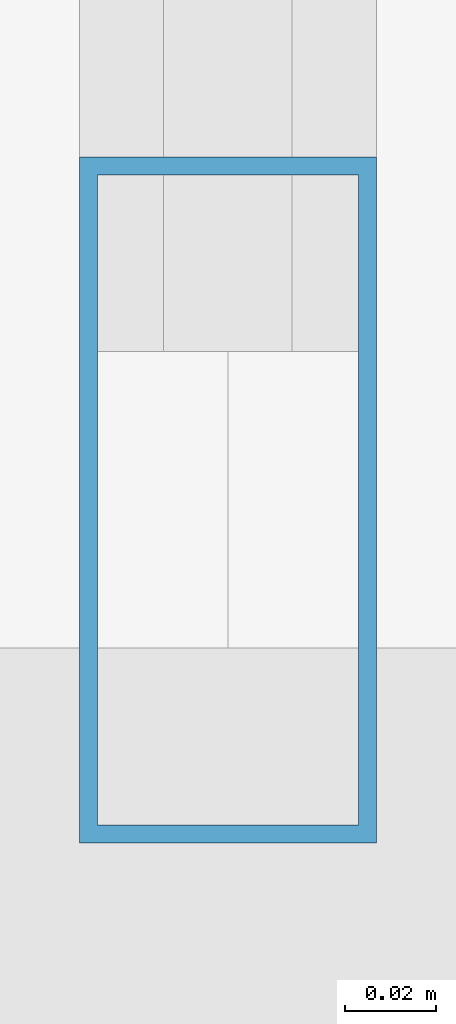
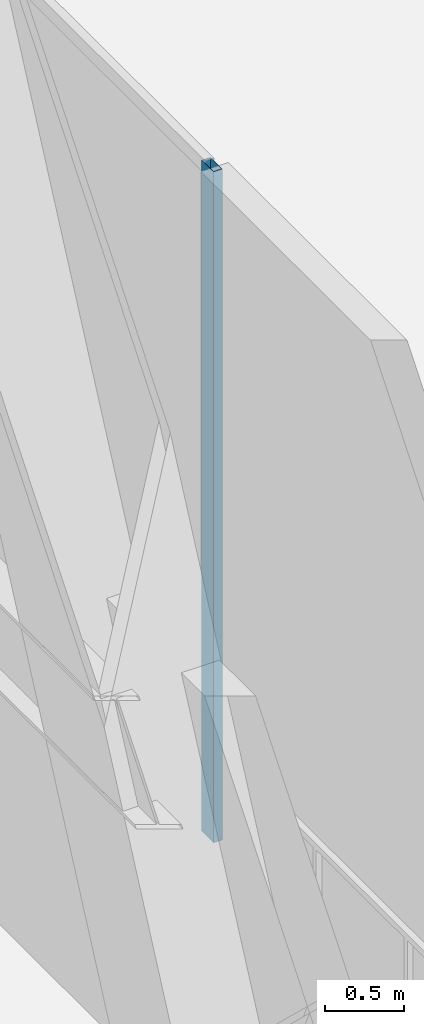
# One storey, part 40 of 83: 1 member, 1 element without a shape of its own.
"""IFC4 building model written with IfcOpenShell, lengths in metres."""

from ifc_helpers import new_model, si_unit, direction, frame, origin, origin_2d, place, context, subcontext, project, spatial, hollow_rectangle, extrude, material, material_profile, profile_set, type_object, element, aggregate, save


model = new_model("IFC4")

# Units and contexts
model_context = context("Model", 3, precision=1e-05, world=origin(), true_north=direction((0.0, 1.0)))
body_context = subcontext(model_context, "Body", "Model", "MODEL_VIEW")
ifc_project = project(units=[si_unit("LENGTHUNIT", "METRE"), si_unit("AREAUNIT", "SQUARE_METRE"), si_unit("VOLUMEUNIT", "CUBIC_METRE"), si_unit("PLANEANGLEUNIT", "RADIAN"), si_unit("MASSUNIT", "GRAM", prefix="KILO")], contexts=[model_context])

# Site, building, storey
site_placement = place(None, origin())
site = spatial("IfcSite", under=ifc_project, at=site_placement, CompositionType="ELEMENT")
building_placement = place(site_placement, origin())
building = spatial("IfcBuilding", under=site, at=building_placement, Name="Tashvorn Skyway Center", CompositionType="ELEMENT")
storey_placement = place(building_placement, frame((0.0, 0.0, 24.60009765625)))
storey = spatial("IfcBuildingStorey", under=building, at=storey_placement, Name="L05", CompositionType="ELEMENT", Elevation=24.60009765625)

# Curtain wall, member
ifc_material = material(Name="Thermally broken bronze-anodized aluminium 6063-T6", Category="aluminium")
curtain_wall_type = type_object("IfcCurtainWallType", Name="CW-CW-SKY", PredefinedType="NOTDEFINED", material=ifc_material)
curtain_wall_placement = place(storey_placement, origin())
curtain_wall = element("IfcCurtainWall", 1, at=curtain_wall_placement, inside=storey, type_object=curtain_wall_type, Name="Station Concourse Monitor West Clerestory Curtain Wall Glazing Group 3", PredefinedType="NOTDEFINED")
ifc_material_profile = material_profile(ifc_material, hollow_rectangle(XDim=0.06494140625, YDim=0.14990234375, WallThickness=0.00390625, at=origin_2d()), Name="ALU-MULL-65x150")
ifc_profile_set = profile_set([ifc_material_profile], Name="Thermally broken bronze-anodized aluminium 6063-T6")
member_type = type_object("IfcMemberType", Name="CWM-CW-SKY", PredefinedType="MULLION", material=ifc_profile_set)
member_placement = place(storey_placement, frame((66.39990234375, 35.665771484375, 0.0), z_axis=(0.0, 0.0, 1.0), x_axis=(-1.0, 0.0, 0.0)))
member = element("IfcMember", 2, at=member_placement, type_object=member_type, Name="CW-SKY mullion 1", PredefinedType="MULLION", context=body_context, shape_type="SweptSolid", body=[
    extrude(hollow_rectangle(XDim=0.06494140625, YDim=0.14990234375, WallThickness=0.00390625, at=origin_2d()), origin(), (0.0, 0.0, 1.0), 5.199951171875),
])
aggregate(curtain_wall, [member])

save(model, "model.ifc")
